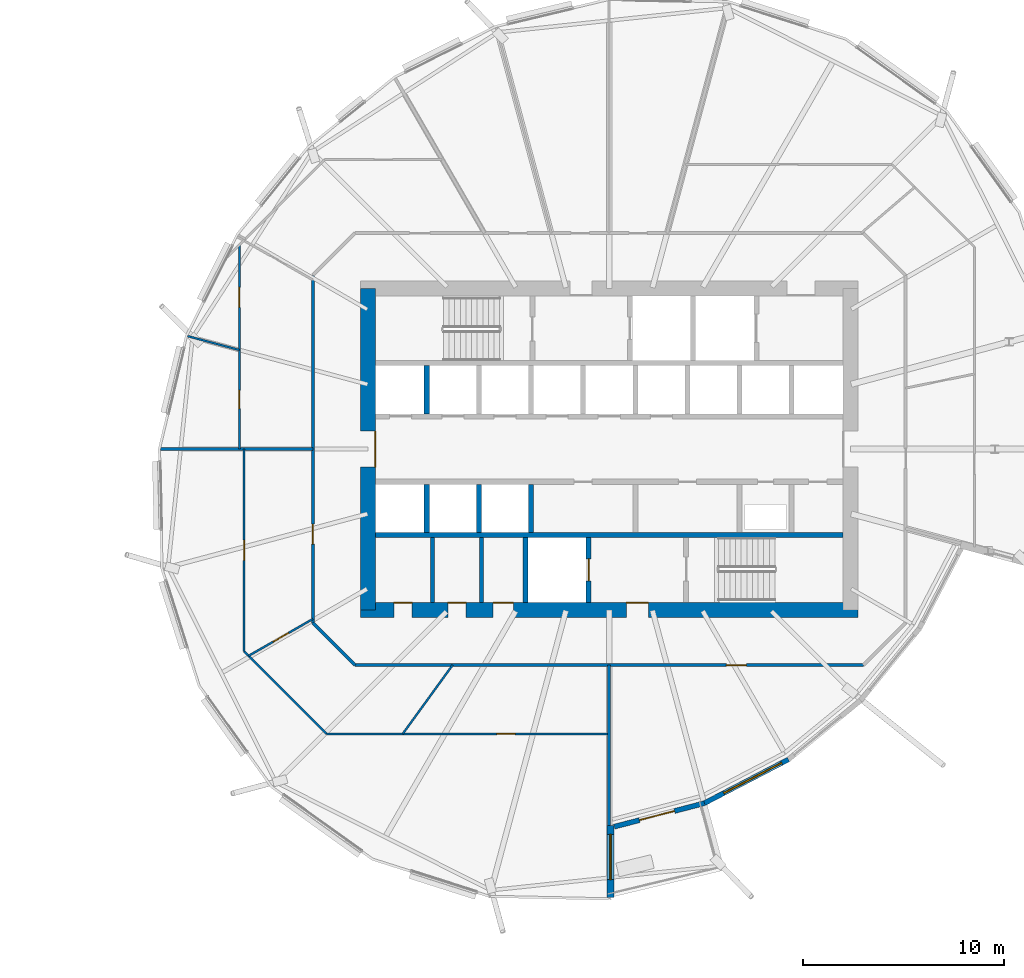
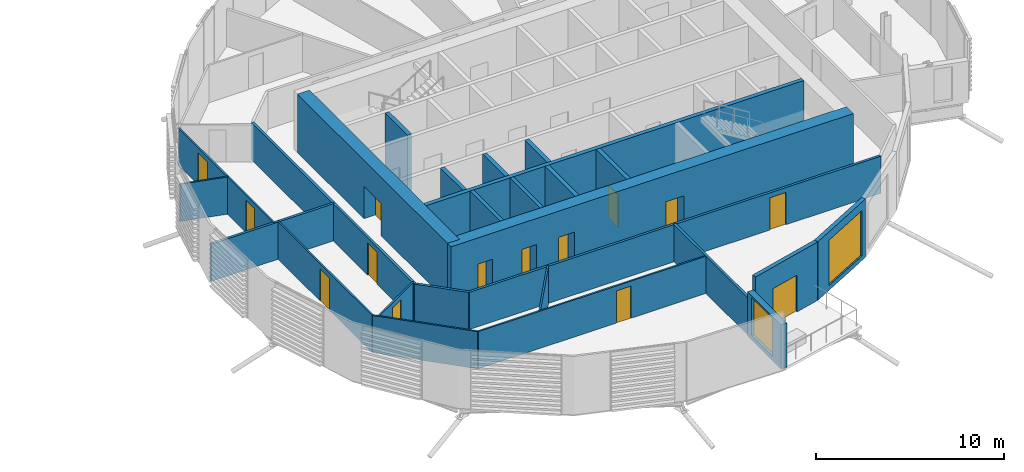
# One storey, part 25 of 43: 27 walls, 14 doors, 2 windows, 16 openings.
"""IFC4 building model written with IfcOpenShell, lengths in metres."""

from ifc_helpers import new_model, si_unit, direction, frame, frame_2d, origin, place, context, subcontext, project, spatial, rectangle, extrude, material, layer, layer_set, type_object, element, fill, save


model = new_model("IFC4")

# Units and contexts
model_context = context("Model", 3, precision=1e-05, world=origin(), true_north=direction((0.0, 1.0)))
body_context = subcontext(model_context, "Body", "Model", "MODEL_VIEW")
ifc_project = project(units=[si_unit("LENGTHUNIT", "METRE"), si_unit("AREAUNIT", "SQUARE_METRE"), si_unit("VOLUMEUNIT", "CUBIC_METRE"), si_unit("PLANEANGLEUNIT", "RADIAN"), si_unit("MASSUNIT", "GRAM", prefix="KILO")], contexts=[model_context])

# Site, building, storey
site_placement = place(None, origin())
site = spatial("IfcSite", under=ifc_project, at=site_placement, CompositionType="ELEMENT")
building_placement = place(site_placement, origin())
building = spatial("IfcBuilding", under=site, at=building_placement, Name="Rimbun Link Towers", CompositionType="ELEMENT")
storey_placement = place(building_placement, frame((0.0, 0.0, 81.60009765625)))
storey = spatial("IfcBuildingStorey", under=building, at=storey_placement, Name="L19", CompositionType="ELEMENT", Elevation=81.60009765625)

# Wall, opening, door
ifc_material_1 = material(Name="Dark enamelled glass spandrel on insulated aluminium backpan", Category="aluminium")
ifc_layer_1 = layer(ifc_material_1, 0.25)
ifc_layer_set_1 = layer_set([ifc_layer_1], Name="CS dark enamelled spandrel wall 250")
wall_type_1 = type_object("IfcWallType", Name="CS dark enamelled spandrel wall 250", PredefinedType="STANDARD", material=ifc_layer_set_1)
wall_1_placement = place(storey_placement, frame((36.486083984375, -17.623779296875, 0.0), z_axis=(0.0, 0.0, 1.0), x_axis=(-0.967713396726, -0.252053132883, 0.0)))
wall_1 = element("IfcWall", 1, at=wall_1_placement, inside=storey, type_object=wall_type_1, Name="Crease spandrel wall", PredefinedType="STANDARD", context=body_context, shape_type="SweptSolid", body=[
    extrude(rectangle(XDim=4.6357421875, YDim=0.25, at=frame_2d((2.31787109375, 0.0))), origin(), (0.0, 0.0, 1.0), 3.7998046875),
])
opening_1_placement = place(wall_1_placement, frame((1.537841796875, 0.0, 0.0)))
opening_1 = element("IfcOpeningElement", 2, at=opening_1_placement, cuts=wall_1, Name="Opening ED60", PredefinedType="OPENING", context=body_context, shape_type="SweptSolid", body=[
    extrude(rectangle(XDim=1.800048828125, YDim=2.39990234375, at=frame_2d((0.89990234375, 1.199951171875))), frame((0.0, 0.135009765625, 0.0), z_axis=(0.0, -1.0, 0.0), x_axis=(1.0, 0.0, 0.0)), (0.0, 0.0, 1.0), 0.27001953125),
])
ifc_material_2 = material(Name="Aluminium framed glazed door, low-iron glass", Category="aluminium")
door_type_1 = type_object("IfcDoorType", Name="ED terrace door double leaf 1800X2400", OperationType="DOUBLE_DOOR_SINGLE_SWING", PredefinedType="DOOR", material=ifc_material_2)
door_1_placement = place(opening_1_placement, origin())
door_1 = element("IfcDoor", 3, at=door_1_placement, inside=storey, type_object=door_type_1, Name="Terrace door", OperationType="SINGLE_SWING_LEFT", OverallHeight=2.39990234375, OverallWidth=1.800048828125, PredefinedType="DOOR", context=body_context, shape_type="SweptSolid", body=[
    extrude(rectangle(XDim=1.800048828125, YDim=2.39990234375, at=frame_2d((0.89990234375, 1.199951171875))), frame((0.0, 0.02490234375, 0.0), z_axis=(0.0, -1.0, 0.0), x_axis=(1.0, 0.0, 0.0)), (0.0, 0.0, 1.0), 0.050048828125),
])
fill(opening_1, door_1)

# Wall, opening, window
wall_2_placement = place(storey_placement, frame((40.6748046875, -15.443359375, 0.0), z_axis=(0.0, 0.0, 1.0), x_axis=(-0.887018644264, -0.461733607969, 0.0)))
wall_2 = element("IfcWall", 4, at=wall_2_placement, inside=storey, type_object=wall_type_1, Name="Crease spandrel wall", PredefinedType="STANDARD", context=body_context, shape_type="SweptSolid", body=[
    extrude(rectangle(XDim=4.72216796875, YDim=0.25, at=frame_2d((2.361083984375, 0.0))), origin(), (0.0, 0.0, 1.0), 3.7998046875),
])
opening_2_placement = place(wall_2_placement, frame((0.384033203125, 0.0, 0.300048828125)))
opening_2 = element("IfcOpeningElement", 5, at=opening_2_placement, cuts=wall_2, Name="Opening WR32H295", PredefinedType="OPENING", context=body_context, shape_type="SweptSolid", body=[
    extrude(rectangle(XDim=3.25, YDim=2.949951171875, at=frame_2d((1.625, 1.47509765625))), frame((0.0, 0.135009765625, 0.0), z_axis=(0.0, -1.0, 0.0), x_axis=(1.0, 0.0, 0.0)), (0.0, 0.0, 1.0), 0.27001953125),
])
ifc_material_3 = material(Name="Aluminium framed fixed window, dark tinted low-e glass", Category="aluminium")
window_type_1 = type_object("IfcWindowType", Name="WR ribbon window 3250X2950", PartitioningType="SINGLE_PANEL", PredefinedType="WINDOW", material=ifc_material_3)
window_1_placement = place(opening_2_placement, origin())
window_1 = element("IfcWindow", 6, at=window_1_placement, inside=storey, type_object=window_type_1, Name="Crease ribbon window", OverallHeight=2.949951171875, OverallWidth=3.25, PartitioningType="SINGLE_PANEL", PredefinedType="WINDOW", context=body_context, shape_type="SweptSolid", body=[
    extrude(rectangle(XDim=3.25, YDim=2.949951171875, at=frame_2d((1.625, 1.47509765625))), frame((0.0, 0.030029296875, 0.0), z_axis=(0.0, -1.0, 0.0), x_axis=(1.0, 0.0, 0.0)), (0.0, 0.0, 1.0), 0.06005859375),
])
fill(opening_2, window_1)

ifc_material_4 = material(Name="Dark enamelled glass spandrel on insulated aluminium backpan", Category="aluminium")
ifc_layer_2 = layer(ifc_material_4, 0.3701171875)
ifc_layer_set_2 = layer_set([ifc_layer_2], Name="CS dark enamelled spandrel wall 370")
wall_type_2 = type_object("IfcWallType", Name="CS dark enamelled spandrel wall 370", PredefinedType="STANDARD", material=ifc_layer_set_2)
wall_3_placement = place(storey_placement, frame((31.81494140625, -18.728271484375, 0.0), z_axis=(0.0, 0.0, 1.0), x_axis=(0.0, -1.0, 0.0)))
wall_3 = element("IfcWall", 7, at=wall_3_placement, inside=storey, type_object=wall_type_2, Name="Crease spandrel wall", PredefinedType="STANDARD", context=body_context, shape_type="SweptSolid", body=[
    extrude(rectangle(XDim=3.580078125, YDim=0.3701171875, at=frame_2d((1.7900390625, 0.0))), origin(), (0.0, 0.0, 1.0), 2.86767578125),
])
opening_3_placement = place(wall_3_placement, frame((0.44287109375, 0.0, 0.300048828125)))
opening_3 = element("IfcOpeningElement", 8, at=opening_3_placement, cuts=wall_3, Name="Opening WR22H245", PredefinedType="OPENING", context=body_context, shape_type="SweptSolid", body=[
    extrude(rectangle(XDim=2.25, YDim=2.449951171875, at=frame_2d((1.125, 1.22509765625))), frame((0.0, 0.195068359375, 0.0), z_axis=(0.0, -1.0, 0.0), x_axis=(1.0, 0.0, 0.0)), (0.0, 0.0, 1.0), 0.39013671875),
])
ifc_material_5 = material(Name="Aluminium framed fixed window, dark tinted low-e glass", Category="aluminium")
window_type_2 = type_object("IfcWindowType", Name="WR ribbon window 2250X2450", PartitioningType="SINGLE_PANEL", PredefinedType="WINDOW", material=ifc_material_5)
window_2_placement = place(opening_3_placement, origin())
window_2 = element("IfcWindow", 9, at=window_2_placement, inside=storey, type_object=window_type_2, Name="Crease ribbon window", OverallHeight=2.449951171875, OverallWidth=2.25, PartitioningType="SINGLE_PANEL", PredefinedType="WINDOW", context=body_context, shape_type="SweptSolid", body=[
    extrude(rectangle(XDim=2.25, YDim=2.449951171875, at=frame_2d((1.125, 1.22509765625))), frame((0.0, 0.030029296875, 0.0), z_axis=(0.0, -1.0, 0.0), x_axis=(1.0, 0.0, 0.0)), (0.0, 0.0, 1.0), 0.06005859375),
])
fill(opening_3, window_2)

# Walls
ifc_material_6 = material(Name="Masonry blockwork", Category="masonry")
ifc_layer_3 = layer(ifc_material_6, 0.199951171875)
ifc_layer_set_3 = layer_set([ifc_layer_3], Name="Core partition 200")
wall_type_3 = type_object("IfcWallType", Name="Core partition 200", PredefinedType="PARTITIONING", material=ifc_layer_set_3)
for number, where, z_axis, x_axis, name in (
    (10, (22.949951171875, -4.39990234375, 0.0), (0.0, 0.0, 1.0), (0.0, -1.0, 0.0), "L19 T2 core wall C1"),
    (11, (25.39990234375, -4.39990234375, 0.0), (0.0, 0.0, 1.0), (0.0, -1.0, 0.0), "L19 T2 core wall C2"),
):
    element("IfcWall", number, at=place(storey_placement, frame(where, z_axis=z_axis, x_axis=x_axis)), inside=storey, type_object=wall_type_3, Name=name, PredefinedType="PARTITIONING", context=body_context, shape_type="SweptSolid", body=[
        extrude(rectangle(XDim=3.22509765625, YDim=0.199951171875, at=frame_2d((1.612548828125, 0.0))), origin(), (0.0, 0.0, 1.0), 3.7998046875),
    ])

# Wall, openings, doors
ifc_material_7 = material(Name="Concrete C60/75", Category="concrete")
ifc_layer_4 = layer(ifc_material_7, 0.75)
ifc_layer_set_4 = layer_set([ifc_layer_4], Name="Core shear wall 750")
wall_type_4 = type_object("IfcWallType", Name="Core shear wall 750", PredefinedType="SHEAR", material=ifc_layer_set_4)
wall_4_placement = place(storey_placement, frame((19.375, -8.0, 0.0), z_axis=(0.0, 0.0, 1.0), x_axis=(1.0, 0.0, 0.0)))
wall_4 = element("IfcWall", 12, at=wall_4_placement, inside=storey, type_object=wall_type_4, Name="L19 T2 core wall S", PredefinedType="SHEAR", context=body_context, shape_type="SweptSolid", body=[
    extrude(rectangle(XDim=24.75, YDim=0.75, at=frame_2d((12.375, 0.0))), origin(), (0.0, 0.0, 1.0), 3.7998046875),
])
opening_4_placement = place(wall_4_placement, frame((13.22509765625, 0.0, 0.0)))
opening_4 = element("IfcOpeningElement", 13, at=opening_4_placement, cuts=wall_4, Name="Opening C2DCF01S", PredefinedType="OPENING", context=body_context, shape_type="SweptSolid", body=[
    extrude(rectangle(XDim=1.10009765625, YDim=2.10009765625, at=frame_2d((0.550048828125, 1.050048828125))), frame((0.0, 0.385009765625, 0.0), z_axis=(0.0, -1.0, 0.0), x_axis=(1.0, 0.0, 0.0)), (0.0, 0.0, 1.0), 0.77001953125),
])
opening_5_placement = place(wall_4_placement, frame((1.66259765625, 0.0, 0.0)))
opening_5 = element("IfcOpeningElement", 14, at=opening_5_placement, cuts=wall_4, Name="Opening C2DWC02S", PredefinedType="OPENING", context=body_context, shape_type="SweptSolid", body=[
    extrude(rectangle(XDim=0.89990234375, YDim=2.10009765625, at=frame_2d((0.449951171875, 1.050048828125))), frame((0.0, 0.385009765625, 0.0), z_axis=(0.0, -1.0, 0.0), x_axis=(1.0, 0.0, 0.0)), (0.0, 0.0, 1.0), 0.77001953125),
])
opening_6_placement = place(wall_4_placement, frame((4.35009765625, 0.0, 0.0)))
opening_6 = element("IfcOpeningElement", 15, at=opening_6_placement, cuts=wall_4, Name="Opening C2DWC03S", PredefinedType="OPENING", context=body_context, shape_type="SweptSolid", body=[
    extrude(rectangle(XDim=0.89990234375, YDim=2.10009765625, at=frame_2d((0.449951171875, 1.050048828125))), frame((0.0, 0.385009765625, 0.0), z_axis=(0.0, -1.0, 0.0), x_axis=(1.0, 0.0, 0.0)), (0.0, 0.0, 1.0), 0.77001953125),
])
opening_7_placement = place(wall_4_placement, frame((6.60009765625, 0.0, 0.0)))
opening_7 = element("IfcOpeningElement", 16, at=opening_7_placement, cuts=wall_4, Name="Opening C2DAW04S", PredefinedType="OPENING", context=body_context, shape_type="SweptSolid", body=[
    extrude(rectangle(XDim=1.0, YDim=2.10009765625, at=frame_2d((0.5, 1.050048828125))), frame((0.0, 0.385009765625, 0.0), z_axis=(0.0, -1.0, 0.0), x_axis=(1.0, 0.0, 0.0)), (0.0, 0.0, 1.0), 0.77001953125),
])
ifc_material_8 = material(Name="Timber", Category="wood")
door_type_2 = type_object("IfcDoorType", Name="Accessible WC door", OperationType="SINGLE_SWING_LEFT", PredefinedType="DOOR", material=ifc_material_8)
door_2_placement = place(opening_7_placement, origin())
door_2 = element("IfcDoor", 17, at=door_2_placement, inside=storey, type_object=door_type_2, Name="L19 T2 accessible wc door", OperationType="SINGLE_SWING_RIGHT", OverallHeight=2.10009765625, OverallWidth=1.0, PredefinedType="DOOR", context=body_context, shape_type="SweptSolid", body=[
    extrude(rectangle(XDim=1.0, YDim=2.10009765625, at=frame_2d((0.5, 1.050048828125))), frame((0.0, 0.375, 0.0), z_axis=(0.0, -1.0, 0.0), x_axis=(1.0, 0.0, 0.0)), (0.0, 0.0, 1.0), 0.050048828125),
])
fill(opening_7, door_2)
ifc_material_9 = material(Name="Steel fire door set", Category="steel")
door_type_3 = type_object("IfcDoorType", Name="Core fire door single", OperationType="SINGLE_SWING_LEFT", PredefinedType="DOOR", material=ifc_material_9)
door_3_placement = place(opening_4_placement, origin())
door_3 = element("IfcDoor", 18, at=door_3_placement, inside=storey, type_object=door_type_3, Name="L19 T2 firefighting lobby s door", OperationType="SINGLE_SWING_RIGHT", OverallHeight=2.10009765625, OverallWidth=1.10009765625, PredefinedType="DOOR", context=body_context, shape_type="SweptSolid", body=[
    extrude(rectangle(XDim=1.10009765625, YDim=2.10009765625, at=frame_2d((0.550048828125, 1.050048828125))), frame((0.0, 0.375, 0.0), z_axis=(0.0, -1.0, 0.0), x_axis=(1.0, 0.0, 0.0)), (0.0, 0.0, 1.0), 0.050048828125),
])
fill(opening_4, door_3)
ifc_material_10 = material(Name="Timber", Category="wood")
door_type_4 = type_object("IfcDoorType", Name="WC door", OperationType="SINGLE_SWING_LEFT", PredefinedType="DOOR", material=ifc_material_10)
door_4_placement = place(opening_5_placement, origin())
door_4 = element("IfcDoor", 19, at=door_4_placement, inside=storey, type_object=door_type_4, Name="L19 T2 male wc door", OperationType="SINGLE_SWING_RIGHT", OverallHeight=2.10009765625, OverallWidth=0.89990234375, PredefinedType="DOOR", context=body_context, shape_type="SweptSolid", body=[
    extrude(rectangle(XDim=0.89990234375, YDim=2.10009765625, at=frame_2d((0.449951171875, 1.050048828125))), frame((0.0, 0.375, 0.0), z_axis=(0.0, -1.0, 0.0), x_axis=(1.0, 0.0, 0.0)), (0.0, 0.0, 1.0), 0.050048828125),
])
fill(opening_5, door_4)
door_5_placement = place(opening_6_placement, origin())
door_5 = element("IfcDoor", 20, at=door_5_placement, inside=storey, type_object=door_type_4, Name="L19 T2 female wc door", OperationType="SINGLE_SWING_RIGHT", OverallHeight=2.10009765625, OverallWidth=0.89990234375, PredefinedType="DOOR", context=body_context, shape_type="SweptSolid", body=[
    extrude(rectangle(XDim=0.89990234375, YDim=2.10009765625, at=frame_2d((0.449951171875, 1.050048828125))), frame((0.0, 0.375, 0.0), z_axis=(0.0, -1.0, 0.0), x_axis=(1.0, 0.0, 0.0)), (0.0, 0.0, 1.0), 0.050048828125),
])
fill(opening_6, door_5)

# Wall, opening, door
wall_5_placement = place(storey_placement, frame((19.75, -8.0, 0.0), z_axis=(0.0, 0.0, 1.0), x_axis=(0.0, 1.0, 0.0)))
wall_5 = element("IfcWall", 21, at=wall_5_placement, inside=storey, type_object=wall_type_4, Name="L19 T2 core wall W", PredefinedType="SHEAR", context=body_context, shape_type="SweptSolid", body=[
    extrude(rectangle(XDim=16.0, YDim=0.75, at=frame_2d((8.0, 0.0))), origin(), (0.0, 0.0, 1.0), 3.7998046875),
])
opening_8_placement = place(wall_5_placement, frame((7.10009765625, 0.0, 0.0)))
opening_8 = element("IfcOpeningElement", 22, at=opening_8_placement, cuts=wall_5, Name="Opening C2DCL01W", PredefinedType="OPENING", context=body_context, shape_type="SweptSolid", body=[
    extrude(rectangle(XDim=1.800048828125, YDim=2.10009765625, at=frame_2d((0.89990234375, 1.050048828125))), frame((0.0, 0.385009765625, 0.0), z_axis=(0.0, -1.0, 0.0), x_axis=(1.0, 0.0, 0.0)), (0.0, 0.0, 1.0), 0.77001953125),
])
ifc_material_11 = material(Name="Steel fire door set", Category="steel")
door_type_5 = type_object("IfcDoorType", Name="Core lobby door double", OperationType="DOUBLE_DOOR_SINGLE_SWING", PredefinedType="DOOR", material=ifc_material_11)
door_6_placement = place(opening_8_placement, origin())
door_6 = element("IfcDoor", 23, at=door_6_placement, inside=storey, type_object=door_type_5, Name="L19 T2 lift lobby door", OperationType="DOUBLE_DOOR_SINGLE_SWING", OverallHeight=2.10009765625, OverallWidth=1.800048828125, PredefinedType="DOOR", context=body_context, shape_type="SweptSolid", body=[
    extrude(rectangle(XDim=1.800048828125, YDim=2.10009765625, at=frame_2d((0.89990234375, 1.050048828125))), frame((0.0, -0.3251953125, 0.0), z_axis=(0.0, -1.0, 0.0), x_axis=(1.0, 0.0, 0.0)), (0.0, 0.0, 1.0), 0.050048828125),
])
fill(opening_8, door_6)

ifc_material_12 = material(Name="Plasterboard on steel stud, mineral wool", Category="steel")
ifc_layer_5 = layer(ifc_material_12, 0.14990234375)
ifc_layer_set_5 = layer_set([ifc_layer_5], Name="Corridor wall EI 30 150 mm")
wall_type_5 = type_object("IfcWallType", Name="Corridor wall EI 30 150 mm", PredefinedType="PARTITIONING", material=ifc_layer_set_5)
wall_6_placement = place(storey_placement, frame((44.401611328125, -10.75, 0.0), z_axis=(0.0, 0.0, 1.0), x_axis=(-1.0, 0.0, 0.0)))
wall_6 = element("IfcWall", 24, at=wall_6_placement, inside=storey, type_object=wall_type_5, Name="Corridor wall EI 30 150 mm", PredefinedType="PARTITIONING", context=body_context, shape_type="SweptSolid", body=[
    extrude(rectangle(XDim=25.30322265625, YDim=0.14990234375, at=frame_2d((12.651611328125, 0.0))), origin(), (0.0, 0.0, 1.0), 2.419921875),
])
opening_9_placement = place(wall_6_placement, frame((5.825927734375, 0.0, 0.0)))
opening_9 = element("IfcOpeningElement", 25, at=opening_9_placement, cuts=wall_6, Name="Opening D01", PredefinedType="OPENING", context=body_context, shape_type="SweptSolid", body=[
    extrude(rectangle(XDim=1.0, YDim=2.10009765625, at=frame_2d((0.5, 1.050048828125))), frame((0.0, 0.0849609375, 0.0), z_axis=(0.0, -1.0, 0.0), x_axis=(1.0, 0.0, 0.0)), (0.0, 0.0, 1.0), 0.169921875),
])
ifc_material_13 = material(Name="Fire-resisting timber door leaf", Category="wood")
door_type_6 = type_object("IfcDoorType", Name="Fire door FD30S 1000", OperationType="NOTDEFINED", PredefinedType="DOOR", material=ifc_material_13)
door_7_placement = place(opening_9_placement, origin())
door_7 = element("IfcDoor", 26, at=door_7_placement, inside=storey, type_object=door_type_6, Name="Fire door FD30S 1000 to Terrace office", OperationType="SINGLE_SWING_LEFT", OverallHeight=2.10009765625, OverallWidth=1.0, PredefinedType="DOOR", context=body_context, shape_type="SweptSolid", body=[
    extrude(rectangle(XDim=1.0, YDim=2.10009765625, at=frame_2d((0.5, 1.050048828125))), frame((0.0, 0.02490234375, 0.0), z_axis=(0.0, -1.0, 0.0), x_axis=(1.0, 0.0, 0.0)), (0.0, 0.0, 1.0), 0.050048828125),
])
fill(opening_9, door_7)

# Wall
wall_7_placement = place(storey_placement, frame((17.0, -8.651611328125, 0.0), z_axis=(0.0, 0.0, 1.0), x_axis=(0.707106781187, -0.707106781187, 0.0)))
element("IfcWall", 27, at=wall_7_placement, inside=storey, type_object=wall_type_5, Name="Corridor wall EI 30 150 mm", PredefinedType="PARTITIONING", context=body_context, shape_type="SweptSolid", body=[
    extrude(rectangle(XDim=2.967529296875, YDim=0.14990234375, at=frame_2d((1.48388671875, 0.0))), origin(), (0.0, 0.0, 1.0), 2.419921875),
])

# Wall, opening, door
wall_8_placement = place(storey_placement, frame((17.0, -8.651611328125, 0.0), z_axis=(0.0, 0.0, 1.0), x_axis=(0.0, 1.0, 0.0)))
wall_8 = element("IfcWall", 28, at=wall_8_placement, inside=storey, type_object=wall_type_5, Name="Corridor wall EI 30 150 mm", PredefinedType="PARTITIONING", context=body_context, shape_type="SweptSolid", body=[
    extrude(rectangle(XDim=17.30322265625, YDim=0.14990234375, at=frame_2d((8.651611328125, 0.0))), origin(), (0.0, 0.0, 1.0), 2.419921875),
])
opening_10_placement = place(wall_8_placement, frame((3.92333984375, 0.0, 0.0)))
opening_10 = element("IfcOpeningElement", 29, at=opening_10_placement, cuts=wall_8, Name="Opening D01", PredefinedType="OPENING", context=body_context, shape_type="SweptSolid", body=[
    extrude(rectangle(XDim=1.0, YDim=2.10009765625, at=frame_2d((0.5, 1.050048828125))), frame((0.0, 0.0849609375, 0.0), z_axis=(0.0, -1.0, 0.0), x_axis=(1.0, 0.0, 0.0)), (0.0, 0.0, 1.0), 0.169921875),
])
door_8_placement = place(opening_10_placement, origin())
door_8 = element("IfcDoor", 30, at=door_8_placement, inside=storey, type_object=door_type_6, Name="Fire door FD30S 1000 to Reception", OperationType="SINGLE_SWING_RIGHT", OverallHeight=2.10009765625, OverallWidth=1.0, PredefinedType="DOOR", context=body_context, shape_type="SweptSolid", body=[
    extrude(rectangle(XDim=1.0, YDim=2.10009765625, at=frame_2d((0.5, 1.050048828125))), frame((0.0, 0.02490234375, 0.0), z_axis=(0.0, -1.0, 0.0), x_axis=(1.0, 0.0, 0.0)), (0.0, 0.0, 1.0), 0.050048828125),
])
fill(opening_10, door_8)

ifc_material_14 = material(Name="Plasterboard on steel stud", Category="steel")
ifc_layer_6 = layer(ifc_material_14, 0.10009765625)
ifc_layer_set_6 = layer_set([ifc_layer_6], Name="Plasterboard partition 100 mm")
wall_type_6 = type_object("IfcWallType", Name="Plasterboard partition 100 mm", PredefinedType="PARTITIONING", material=ifc_layer_set_6)
wall_9_placement = place(storey_placement, frame((13.340087890625, 4.93310546875, 0.0), z_axis=(0.0, 0.0, 1.0), x_axis=(0.0, 1.0, 0.0)))
wall_9 = element("IfcWall", 31, at=wall_9_placement, inside=storey, type_object=wall_type_6, Name="Plasterboard partition 100 mm", PredefinedType="PARTITIONING", context=body_context, shape_type="SweptSolid", body=[
    extrude(rectangle(XDim=5.234619140625, YDim=0.10009765625, at=frame_2d((2.6171875, 0.0))), origin(), (0.0, 0.0, 1.0), 2.419921875),
])
opening_11_placement = place(wall_9_placement, frame((2.1171875, 0.0, 0.0)))
opening_11 = element("IfcOpeningElement", 32, at=opening_11_placement, cuts=wall_9, Name="Opening D03", PredefinedType="OPENING", context=body_context, shape_type="SweptSolid", body=[
    extrude(rectangle(XDim=1.0, YDim=2.10009765625, at=frame_2d((0.5, 1.050048828125))), frame((0.0, 0.06005859375, 0.0), z_axis=(0.0, -1.0, 0.0), x_axis=(1.0, 0.0, 0.0)), (0.0, 0.0, 1.0), 0.1201171875),
])
ifc_material_15 = material(Name="Timber door leaf", Category="wood")
door_type_7 = type_object("IfcDoorType", Name="Flush door 1000", OperationType="NOTDEFINED", PredefinedType="DOOR", material=ifc_material_15)
door_9_placement = place(opening_11_placement, origin())
door_9 = element("IfcDoor", 33, at=door_9_placement, inside=storey, type_object=door_type_7, Name="Flush door 1000 to Open office", OperationType="SINGLE_SWING_RIGHT", OverallHeight=2.10009765625, OverallWidth=1.0, PredefinedType="DOOR", context=body_context, shape_type="SweptSolid", body=[
    extrude(rectangle(XDim=1.0, YDim=2.10009765625, at=frame_2d((0.5, 1.050048828125))), frame((0.0, 0.02490234375, 0.0), z_axis=(0.0, -1.0, 0.0), x_axis=(1.0, 0.0, 0.0)), (0.0, 0.0, 1.0), 0.050048828125),
])
fill(opening_11, door_9)

wall_10_placement = place(storey_placement, frame((13.340087890625, 0.0, 0.0), z_axis=(0.0, 0.0, 1.0), x_axis=(0.0, 1.0, 0.0)))
wall_10 = element("IfcWall", 34, at=wall_10_placement, inside=storey, type_object=wall_type_6, Name="Plasterboard partition 100 mm", PredefinedType="PARTITIONING", context=body_context, shape_type="SweptSolid", body=[
    extrude(rectangle(XDim=4.93310546875, YDim=0.10009765625, at=frame_2d((2.466552734375, 0.0))), origin(), (0.0, 0.0, 1.0), 2.419921875),
])
opening_12_placement = place(wall_10_placement, frame((2.0166015625, 0.0, 0.0)))
opening_12 = element("IfcOpeningElement", 35, at=opening_12_placement, cuts=wall_10, Name="Opening D04", PredefinedType="OPENING", context=body_context, shape_type="SweptSolid", body=[
    extrude(rectangle(XDim=0.89990234375, YDim=2.10009765625, at=frame_2d((0.449951171875, 1.050048828125))), frame((0.0, 0.06005859375, 0.0), z_axis=(0.0, -1.0, 0.0), x_axis=(1.0, 0.0, 0.0)), (0.0, 0.0, 1.0), 0.1201171875),
])
ifc_material_16 = material(Name="Timber door leaf", Category="wood")
door_type_8 = type_object("IfcDoorType", Name="Flush door 900", OperationType="NOTDEFINED", PredefinedType="DOOR", material=ifc_material_16)
door_10_placement = place(opening_12_placement, origin())
door_10 = element("IfcDoor", 36, at=door_10_placement, inside=storey, type_object=door_type_8, Name="Flush door 900 to Boardroom", OperationType="SINGLE_SWING_LEFT", OverallHeight=2.10009765625, OverallWidth=0.89990234375, PredefinedType="DOOR", context=body_context, shape_type="SweptSolid", body=[
    extrude(rectangle(XDim=0.89990234375, YDim=2.10009765625, at=frame_2d((0.449951171875, 1.050048828125))), frame((0.0, 0.02490234375, 0.0), z_axis=(0.0, -1.0, 0.0), x_axis=(1.0, 0.0, 0.0)), (0.0, 0.0, 1.0), 0.050048828125),
])
fill(opening_12, door_10)

# Wall
wall_11_placement = place(storey_placement, frame((10.766357421875, 5.62255859375, 0.0), z_axis=(0.0, 0.0, 1.0), x_axis=(0.965942326221, -0.258757458665, 0.0)))
element("IfcWall", 37, at=wall_11_placement, inside=storey, type_object=wall_type_6, Name="Plasterboard partition 100 mm", PredefinedType="PARTITIONING", context=body_context, shape_type="SweptSolid", body=[
    extrude(rectangle(XDim=2.66455078125, YDim=0.10009765625, at=frame_2d((1.332275390625, 0.0))), origin(), (0.0, 0.0, 1.0), 2.419921875),
])

# Wall, opening, door
wall_12_placement = place(storey_placement, frame((17.0, -8.45654296875, 0.0), z_axis=(0.0, 0.0, 1.0), x_axis=(-0.867533095904, -0.497379460282, 0.0)))
wall_12 = element("IfcWall", 38, at=wall_12_placement, inside=storey, type_object=wall_type_6, Name="Plasterboard partition 100 mm", PredefinedType="PARTITIONING", context=body_context, shape_type="SweptSolid", body=[
    extrude(rectangle(XDim=3.686279296875, YDim=0.10009765625, at=frame_2d((1.84326171875, 0.0))), origin(), (0.0, 0.0, 1.0), 2.419921875),
])
opening_13_placement = place(wall_12_placement, frame((1.393310546875, 0.0, 0.0)))
opening_13 = element("IfcOpeningElement", 39, at=opening_13_placement, cuts=wall_12, Name="Opening D04", PredefinedType="OPENING", context=body_context, shape_type="SweptSolid", body=[
    extrude(rectangle(XDim=0.89990234375, YDim=2.10009765625, at=frame_2d((0.449951171875, 1.050048828125))), frame((0.0, 0.06005859375, 0.0), z_axis=(0.0, -1.0, 0.0), x_axis=(1.0, 0.0, 0.0)), (0.0, 0.0, 1.0), 0.1201171875),
])
door_11_placement = place(opening_13_placement, origin())
door_11 = element("IfcDoor", 40, at=door_11_placement, inside=storey, type_object=door_type_8, Name="Flush door 900 to Meeting room", OperationType="SINGLE_SWING_RIGHT", OverallHeight=2.10009765625, OverallWidth=0.89990234375, PredefinedType="DOOR", context=body_context, shape_type="SweptSolid", body=[
    extrude(rectangle(XDim=0.89990234375, YDim=2.10009765625, at=frame_2d((0.449951171875, 1.050048828125))), frame((0.0, 0.02490234375, 0.0), z_axis=(0.0, -1.0, 0.0), x_axis=(1.0, 0.0, 0.0)), (0.0, 0.0, 1.0), 0.050048828125),
])
fill(opening_13, door_11)

wall_13_placement = place(storey_placement, frame((13.580078125, -10.068359375, 0.0), z_axis=(0.0, 0.0, 1.0), x_axis=(0.0, 1.0, 0.0)))
wall_13 = element("IfcWall", 41, at=wall_13_placement, inside=storey, type_object=wall_type_6, Name="Plasterboard partition 100 mm", PredefinedType="PARTITIONING", context=body_context, shape_type="SweptSolid", body=[
    extrude(rectangle(XDim=10.068359375, YDim=0.10009765625, at=frame_2d((5.0341796875, 0.0))), origin(), (0.0, 0.0, 1.0), 2.419921875),
])
opening_14_placement = place(wall_13_placement, frame((4.5341796875, 0.0, 0.0)))
opening_14 = element("IfcOpeningElement", 42, at=opening_14_placement, cuts=wall_13, Name="Opening D03", PredefinedType="OPENING", context=body_context, shape_type="SweptSolid", body=[
    extrude(rectangle(XDim=1.0, YDim=2.10009765625, at=frame_2d((0.5, 1.050048828125))), frame((0.0, 0.06005859375, 0.0), z_axis=(0.0, -1.0, 0.0), x_axis=(1.0, 0.0, 0.0)), (0.0, 0.0, 1.0), 0.1201171875),
])
door_12_placement = place(opening_14_placement, origin())
door_12 = element("IfcDoor", 43, at=door_12_placement, inside=storey, type_object=door_type_7, Name="Flush door 1000 to Open office", OperationType="SINGLE_SWING_LEFT", OverallHeight=2.10009765625, OverallWidth=1.0, PredefinedType="DOOR", context=body_context, shape_type="SweptSolid", body=[
    extrude(rectangle(XDim=1.0, YDim=2.10009765625, at=frame_2d((0.5, 1.050048828125))), frame((0.0, 0.02490234375, 0.0), z_axis=(0.0, -1.0, 0.0), x_axis=(1.0, 0.0, 0.0)), (0.0, 0.0, 1.0), 0.050048828125),
])
fill(opening_14, door_12)

# Walls
wall_14_placement = place(storey_placement, frame((13.580078125, -10.068359375, 0.0), z_axis=(0.0, 0.0, 1.0), x_axis=(0.707106781187, -0.707106781187, 0.0)))
element("IfcWall", 44, at=wall_14_placement, inside=storey, type_object=wall_type_6, Name="Plasterboard partition 100 mm", PredefinedType="PARTITIONING", context=body_context, shape_type="SweptSolid", body=[
    extrude(rectangle(XDim=5.800537109375, YDim=0.10009765625, at=frame_2d((2.900390625, 0.0))), origin(), (0.0, 0.0, 1.0), 2.419921875),
])
wall_15_placement = place(storey_placement, frame((21.474609375, -14.169921875, 0.0), z_axis=(0.0, 0.0, 1.0), x_axis=(0.587050906229, 0.809550019144, 0.0)))
element("IfcWall", 45, at=wall_15_placement, inside=storey, type_object=wall_type_6, Name="Plasterboard partition 100 mm", PredefinedType="PARTITIONING", context=body_context, shape_type="SweptSolid", body=[
    extrude(rectangle(XDim=4.224365234375, YDim=0.10009765625, at=frame_2d((2.1123046875, 0.0))), origin(), (0.0, 0.0, 1.0), 2.419921875),
])

# Wall, opening, door
wall_16_placement = place(storey_placement, frame((17.681640625, -14.169921875, 0.0), z_axis=(0.0, 0.0, 1.0), x_axis=(1.0, 0.0, 0.0)))
wall_16 = element("IfcWall", 46, at=wall_16_placement, inside=storey, type_object=wall_type_6, Name="Plasterboard partition 100 mm", PredefinedType="PARTITIONING", context=body_context, shape_type="SweptSolid", body=[
    extrude(rectangle(XDim=14.068359375, YDim=0.10009765625, at=frame_2d((7.0341796875, 0.0))), origin(), (0.0, 0.0, 1.0), 2.419921875),
])
opening_15_placement = place(wall_16_placement, frame((8.480712890625, 0.0, 0.0)))
opening_15 = element("IfcOpeningElement", 47, at=opening_15_placement, cuts=wall_16, Name="Opening D04", PredefinedType="OPENING", context=body_context, shape_type="SweptSolid", body=[
    extrude(rectangle(XDim=0.89990234375, YDim=2.10009765625, at=frame_2d((0.449951171875, 1.050048828125))), frame((0.0, 0.06005859375, 0.0), z_axis=(0.0, -1.0, 0.0), x_axis=(1.0, 0.0, 0.0)), (0.0, 0.0, 1.0), 0.1201171875),
])
door_13_placement = place(opening_15_placement, origin())
door_13 = element("IfcDoor", 48, at=door_13_placement, inside=storey, type_object=door_type_8, Name="Flush door 900 to Print room", OperationType="SINGLE_SWING_LEFT", OverallHeight=2.10009765625, OverallWidth=0.89990234375, PredefinedType="DOOR", context=body_context, shape_type="SweptSolid", body=[
    extrude(rectangle(XDim=0.89990234375, YDim=2.10009765625, at=frame_2d((0.449951171875, 1.050048828125))), frame((0.0, 0.02490234375, 0.0), z_axis=(0.0, -1.0, 0.0), x_axis=(1.0, 0.0, 0.0)), (0.0, 0.0, 1.0), 0.050048828125),
])
fill(opening_15, door_13)

# Walls
ifc_material_17 = material(Name="Concrete C60/75", Category="concrete")
ifc_layer_7 = layer(ifc_material_17, 0.25)
ifc_layer_set_7 = layer_set([ifc_layer_7], Name="Shaft wall 250")
wall_type_7 = type_object("IfcWallType", Name="Shaft wall 250", PredefinedType="SHEAR", material=ifc_layer_set_7)
wall_17_placement = place(storey_placement, frame((20.125, -4.27490234375, 0.0), z_axis=(0.0, 0.0, 1.0), x_axis=(1.0, 0.0, 0.0)))
element("IfcWall", 49, at=wall_17_placement, inside=storey, type_object=wall_type_7, Name="L19 T2 core wall BS", PredefinedType="SHEAR", context=body_context, shape_type="SweptSolid", body=[
    extrude(rectangle(XDim=23.25, YDim=0.25, at=frame_2d((11.625, 0.0))), origin(), (0.0, 0.0, 1.0), 3.7998046875),
])
for number, where, z_axis, x_axis, name in (
    (50, (22.66943359375, 1.75, 0.0), (0.0, 0.0, 1.0), (0.0, 1.0, 0.0), "L19 T2 core wall DN0"),
    (51, (22.66943359375, -4.14990234375, 0.0), (0.0, 0.0, 1.0), (0.0, 1.0, 0.0), "L19 T2 core wall DS0"),
    (52, (25.263916015625, -4.14990234375, 0.0), (0.0, 0.0, 1.0), (0.0, 1.0, 0.0), "L19 T2 core wall DS1"),
    (53, (27.8583984375, -4.14990234375, 0.0), (0.0, 0.0, 1.0), (0.0, 1.0, 0.0), "L19 T2 core wall DS2"),
):
    element("IfcWall", number, at=place(storey_placement, frame(where, z_axis=z_axis, x_axis=x_axis)), inside=storey, type_object=wall_type_7, Name=name, PredefinedType="SHEAR", context=body_context, shape_type="SweptSolid", body=[
        extrude(rectangle(XDim=2.39990234375, YDim=0.25, at=frame_2d((1.199951171875, 0.0))), origin(), (0.0, 0.0, 1.0), 3.7998046875),
    ])

# Wall, opening, door
wall_18_placement = place(storey_placement, frame((30.72509765625, -4.39990234375, 0.0), z_axis=(0.0, 0.0, 1.0), x_axis=(0.0, -1.0, 0.0)))
wall_18 = element("IfcWall", 54, at=wall_18_placement, inside=storey, type_object=wall_type_7, Name="L19 T2 core wall B2", PredefinedType="SHEAR", context=body_context, shape_type="SweptSolid", body=[
    extrude(rectangle(XDim=3.22509765625, YDim=0.25, at=frame_2d((1.612548828125, 0.0))), origin(), (0.0, 0.0, 1.0), 3.7998046875),
])
opening_16_placement = place(wall_18_placement, frame((1.0625, 0.0, 0.0)))
opening_16 = element("IfcOpeningElement", 55, at=opening_16_placement, cuts=wall_18, Name="Opening LD-T2-FF2", PredefinedType="OPENING", context=body_context, shape_type="SweptSolid", body=[
    extrude(rectangle(XDim=1.10009765625, YDim=2.10009765625, at=frame_2d((0.550048828125, 1.050048828125))), frame((0.0, 0.135009765625, 0.0), z_axis=(0.0, -1.0, 0.0), x_axis=(1.0, 0.0, 0.0)), (0.0, 0.0, 1.0), 0.27001953125),
])
ifc_material_18 = material(Name="Stainless steel grade 316", Category="steel")
door_type_9 = type_object("IfcDoorType", Name="Lift landing door", OperationType="DOUBLE_DOOR_SLIDING", PredefinedType="DOOR", material=ifc_material_18)
door_14_placement = place(opening_16_placement, origin())
door_14 = element("IfcDoor", 56, at=door_14_placement, inside=storey, type_object=door_type_9, Name="L19 T2 lift FF2 landing door", OperationType="DOUBLE_DOOR_SLIDING", OverallHeight=2.10009765625, OverallWidth=1.10009765625, PredefinedType="DOOR", context=body_context, shape_type="SweptSolid", body=[
    extrude(rectangle(XDim=1.10009765625, YDim=2.10009765625, at=frame_2d((0.550048828125, 1.050048828125))), frame((0.0, 0.02490234375, 0.0), z_axis=(0.0, -1.0, 0.0), x_axis=(1.0, 0.0, 0.0)), (0.0, 0.0, 1.0), 0.050048828125),
])
fill(opening_16, door_14)

# Walls
wall_19_placement = place(storey_placement, frame((27.574951171875, -4.39990234375, 0.0), z_axis=(0.0, 0.0, 1.0), x_axis=(0.0, -1.0, 0.0)))
element("IfcWall", 57, at=wall_19_placement, inside=storey, type_object=wall_type_7, Name="L19 T2 core wall B3", PredefinedType="SHEAR", context=body_context, shape_type="SweptSolid", body=[
    extrude(rectangle(XDim=3.22509765625, YDim=0.25, at=frame_2d((1.612548828125, 0.0))), origin(), (0.0, 0.0, 1.0), 3.7998046875),
])
ifc_material_19 = material(Name="Plasterboard on steel stud, mineral wool", Category="steel")
ifc_layer_8 = layer(ifc_material_19, 0.14990234375)
ifc_layer_set_8 = layer_set([ifc_layer_8], Name="Tenancy separation wall EI 60 150 mm")
wall_type_8 = type_object("IfcWallType", Name="Tenancy separation wall EI 60 150 mm", PredefinedType="PARTITIONING", material=ifc_layer_set_8)
wall_20_placement = place(storey_placement, frame((17.0, 0.0, 0.0), z_axis=(0.0, 0.0, 1.0), x_axis=(-1.0, 0.0, 0.0)))
element("IfcWall", 58, at=wall_20_placement, inside=storey, type_object=wall_type_8, Name="Tenancy separation wall EI 60 150 mm", PredefinedType="PARTITIONING", context=body_context, shape_type="SweptSolid", body=[
    extrude(rectangle(XDim=7.578369140625, YDim=0.14990234375, at=frame_2d((3.7890625, 0.0))), origin(), (0.0, 0.0, 1.0), 2.419921875),
])
wall_21_placement = place(storey_placement, frame((31.75, -10.75, 0.0), z_axis=(0.0, 0.0, 1.0), x_axis=(0.0, -1.0, 0.0)))
element("IfcWall", 59, at=wall_21_placement, inside=storey, type_object=wall_type_8, Name="Tenancy separation wall EI 60 150 mm", PredefinedType="PARTITIONING", context=body_context, shape_type="SweptSolid", body=[
    extrude(rectangle(XDim=7.978271484375, YDim=0.14990234375, at=frame_2d((3.9892578125, 0.0))), origin(), (0.0, 0.0, 1.0), 2.419921875),
])

save(model, "model.ifc")
